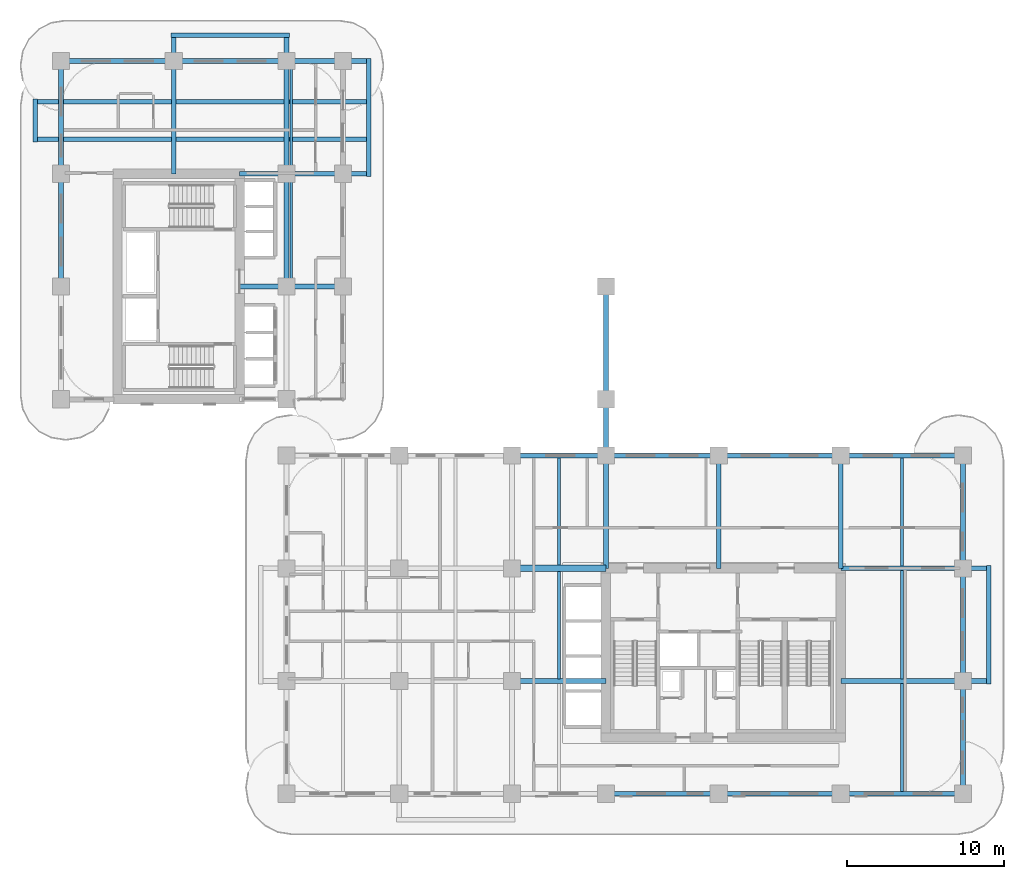
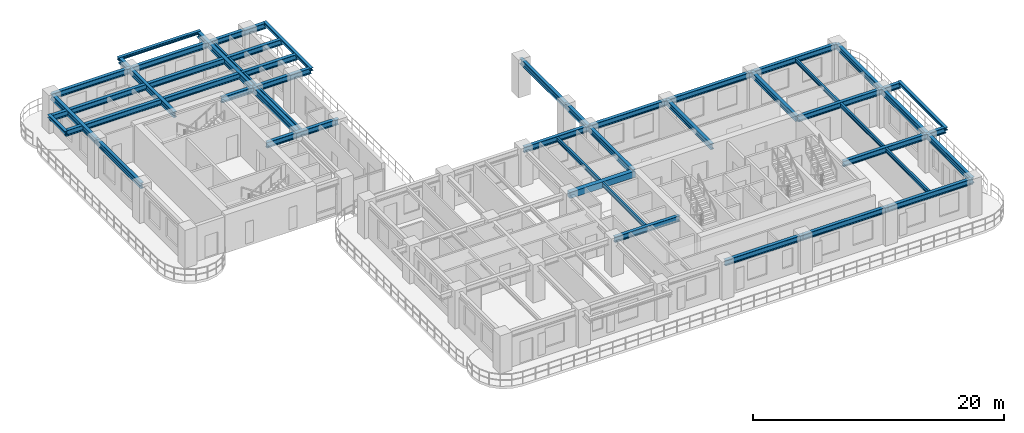
# One storey, part 3 of 19: 41 beams.
"""IFC4 building model written with IfcOpenShell, lengths in metres."""

import ifcopenshell
import ifcopenshell.guid

model = None  # the IFC model being written
_history = None  # IfcOwnerHistory: only IFC2X3 demands one
_inside = {}  # id of a spatial element -> (the spatial element, [elements in it])
_under = {}  # id of a project, library or spatial element -> (it, [spatial elements below it])
_declared = {}  # id of a project -> (the project, [libraries it declares])
_typed = {}  # id of a type object -> (the type object, [elements of that type])
_made_of = {}  # id of a material, layer set ... -> (it, [elements and type objects made of it])


def new_model(schema):
    """Start an empty IFC model of exactly this schema.

    Asked for "IFC4X3", IfcOpenShell would pick the latest addendum, in which some entities
    have other attributes; the version numbers below select the first issue.
    IFC2X3 requires an IfcOwnerHistory on every rooted entity: one is made here for all.
    """
    global model, _history
    if schema == "IFC4X3":
        model = ifcopenshell.file(schema_version=(4, 3, 0, 0))
    else:
        model = ifcopenshell.file(schema=schema)
    _inside.clear()
    _under.clear()
    _declared.clear()
    _typed.clear()
    _made_of.clear()
    _history = None
    if model.schema == "IFC2X3":
        org = make("IfcOrganization", Name="unknown")
        user = make(
            "IfcPersonAndOrganization",
            ThePerson=make("IfcPerson", FamilyName="unknown"),
            TheOrganization=org,
        )
        app = make(
            "IfcApplication",
            ApplicationDeveloper=org,
            Version="unknown",
            ApplicationFullName="unknown",
            ApplicationIdentifier="unknown",
        )
        _history = make(
            "IfcOwnerHistory",
            OwningUser=user,
            OwningApplication=app,
            ChangeAction="ADDED",
            CreationDate=0,
        )
    return model


def make(cls, **values):
    """One entity of the class cls with the attributes given. An attribute that is None is left unset."""
    return model.create_entity(
        cls, **{name: value for name, value in values.items() if value is not None}
    )


def rooted(cls, **values):
    """An entity with a GlobalId (a new one), such as an element, a storey or a relation."""
    return make(cls, GlobalId=ifcopenshell.guid.new(), OwnerHistory=_history, **values)


def si_unit(unit_type, name, prefix=None):
    """IfcSIUnit, for example si_unit("LENGTHUNIT", "METRE", prefix="MILLI")."""
    return make("IfcSIUnit", UnitType=unit_type, Prefix=prefix, Name=name)


def derived_unit(unit_type, elements):
    """IfcDerivedUnit: a product of units, each with its exponent."""
    return make(
        "IfcDerivedUnit",
        Elements=[
            make("IfcDerivedUnitElement", Unit=unit, Exponent=power)
            for unit, power in elements
        ],
        UnitType=unit_type,
    )


def assignment(units):
    """IfcUnitAssignment: the units of a project."""
    return None if units is None else make("IfcUnitAssignment", Units=units)


def point(xyz):
    """IfcCartesianPoint."""
    return None if xyz is None else make("IfcCartesianPoint", Coordinates=xyz)


def direction(xyz):
    """IfcDirection."""
    return None if xyz is None else make("IfcDirection", DirectionRatios=xyz)


def frame(location, z_axis=None, x_axis=None):
    """IfcAxis2Placement3D, a coordinate frame: its origin and axes. An axis left out is left unset."""
    return make(
        "IfcAxis2Placement3D",
        Location=point(location),
        Axis=direction(z_axis),
        RefDirection=direction(x_axis),
    )


def frame_2d(location, x_axis=None):
    """IfcAxis2Placement2D, a coordinate frame in the plane: its origin and x axis."""
    return make(
        "IfcAxis2Placement2D", Location=point(location), RefDirection=direction(x_axis)
    )


def origin():
    """The frame at (0, 0, 0) with its axes left unset."""
    return frame((0.0, 0.0, 0.0))


def origin_2d():
    """The frame at (0, 0) in the plane with its x axis left unset."""
    return frame_2d((0.0, 0.0))


def place(relative_to, where):
    """IfcLocalPlacement: puts the frame where relative to a parent placement (None: the world)."""
    return make(
        "IfcLocalPlacement", PlacementRelTo=relative_to, RelativePlacement=where
    )


def context(
    kind, dimensions, precision=None, world=None, true_north=None, identifier=None
):
    """IfcGeometricRepresentationContext, for example the 3D "Model" context."""
    return make(
        "IfcGeometricRepresentationContext",
        ContextIdentifier=identifier,
        ContextType=kind,
        CoordinateSpaceDimension=dimensions,
        Precision=precision,
        WorldCoordinateSystem=world,
        TrueNorth=true_north,
    )


def subcontext(parent, identifier, kind, view, scale=None):
    """IfcGeometricRepresentationSubContext, for example "Body" below "Model"."""
    return make(
        "IfcGeometricRepresentationSubContext",
        ContextIdentifier=identifier,
        ContextType=kind,
        ParentContext=parent,
        TargetScale=scale,
        TargetView=view,
    )


def project(units=None, contexts=None):
    """IfcProject with its units and contexts."""
    return rooted(
        "IfcProject",
        Name="project",
        RepresentationContexts=contexts,
        UnitsInContext=assignment(units),
    )


def spatial(cls, under=None, at=None, **own):
    """A site, building, storey or space (cls), placed at a placement, below another one or the project."""
    s = rooted(cls, ObjectPlacement=at, **own)
    if under is not None:
        _under.setdefault(under.id(), (under, []))[1].append(s)
    return s


def profile(cls, at=None, kind="AREA", **sizes):
    """A parametric profile (cls). Its sizes go by their IFC names, for example OverallWidth=200.0."""
    return make(cls, ProfileType=kind, Position=at, **sizes)


def rectangle(**sizes):
    """IfcRectangleProfileDef."""
    return profile("IfcRectangleProfileDef", **sizes)


def i_section(**sizes):
    """IfcIShapeProfileDef."""
    return profile("IfcIShapeProfileDef", **sizes)


def extrude(swept, where, along, depth):
    """IfcExtrudedAreaSolid: the profile swept, set in the frame where, extruded along a direction by depth."""
    return make(
        "IfcExtrudedAreaSolid",
        SweptArea=swept,
        Position=where,
        ExtrudedDirection=direction(along),
        Depth=depth,
    )


def shape(context_of_items, identifier, shape_type, items):
    """IfcShapeRepresentation: the items that make up one representation, for example the "Body"."""
    return make(
        "IfcShapeRepresentation",
        ContextOfItems=context_of_items,
        RepresentationIdentifier=identifier,
        RepresentationType=shape_type,
        Items=items,
    )


def source(mapping_origin, context_of_items, identifier, shape_type, items):
    """IfcRepresentationMap: a shape defined once, which mapped items show again and again."""
    return make(
        "IfcRepresentationMap",
        MappingOrigin=mapping_origin,
        MappedRepresentation=shape(context_of_items, identifier, shape_type, items),
    )


def transform(
    local_origin,
    x_axis=None,
    y_axis=None,
    z_axis=None,
    scale=None,
    scale2=None,
    scale3=None,
    uniform=True,
):
    """IfcCartesianTransformationOperator3D, or its non-uniform kind. x_axis, y_axis, z_axis: its Axis1, 2, 3."""
    if uniform:
        return make(
            "IfcCartesianTransformationOperator3D",
            Axis1=direction(x_axis),
            Axis2=direction(y_axis),
            LocalOrigin=point(local_origin),
            Scale=scale,
            Axis3=direction(z_axis),
        )
    return make(
        "IfcCartesianTransformationOperator3DnonUniform",
        Axis1=direction(x_axis),
        Axis2=direction(y_axis),
        LocalOrigin=point(local_origin),
        Scale=scale,
        Axis3=direction(z_axis),
        Scale2=scale2,
        Scale3=scale3,
    )


def mapped(mapping_source, mapping_target):
    """IfcMappedItem: shows the shape of a source again, moved by a transform."""
    return make(
        "IfcMappedItem", MappingSource=mapping_source, MappingTarget=mapping_target
    )


def material(Name=None, Category=None):
    """IfcMaterial."""
    return make("IfcMaterial", Name=Name, Category=Category)


def material_profile(
    of_material, cross_section, Name=None, Category=None, Priority=None
):
    """IfcMaterialProfile: a cross section and its material."""
    return make(
        "IfcMaterialProfile",
        Name=Name,
        Material=of_material,
        Profile=cross_section,
        Priority=Priority,
        Category=Category,
    )


def profile_set(profiles, Name=None, composite=None):
    """IfcMaterialProfileSet."""
    return make(
        "IfcMaterialProfileSet",
        Name=Name,
        MaterialProfiles=profiles,
        CompositeProfile=composite,
    )


def made_of(thing, what):
    """Note that an element or type object is made of a material, layer set ...; save() writes the relation."""
    if what is not None:
        _made_of.setdefault(what.id(), (what, []))[1].append(thing)
    return thing


def type_object(cls, material=None, **own):
    """A type object (cls), such as IfcWallType, which elements share."""
    return made_of(rooted(cls, **own), material)


def type_shapes(of_type, sources):
    """Give a type object the sources (RepresentationMaps) that its elements show as mapped items."""
    of_type.RepresentationMaps = sources


def element(
    cls,
    number,
    at=None,
    inside=None,
    cuts=None,
    type_object=None,
    material=None,
    context=None,
    identifier="Body",
    shape_type=None,
    held_by="IfcProductDefinitionShape",
    body=None,
    shapes=None,
    **own,
):
    """One element of the class cls, such as IfcWall. Its Tag is "e" and its number.

    at: its placement. inside: the storey or other place that contains it. cuts: it is an
    opening in that element (IfcRelVoidsElement). A single representation is given by context,
    identifier, shape_type and body (its items); several are given by shapes. held_by: the class
    of the entity that holds the representations. save() writes the other relations.
    """
    e = rooted(cls, Tag="e%d" % number, ObjectPlacement=at, **own)
    if body is not None:
        shapes = [shape(context, identifier, shape_type, body)]
    if shapes is not None:
        e.Representation = make(held_by, Representations=shapes)
    if inside is not None:
        _inside.setdefault(inside.id(), (inside, []))[1].append(e)
    if cuts is not None:
        rooted(
            "IfcRelVoidsElement", RelatingBuildingElement=cuts, RelatedOpeningElement=e
        )
    if type_object is not None:
        _typed.setdefault(type_object.id(), (type_object, []))[1].append(e)
    return made_of(e, material)


def aggregate(whole, parts):
    """IfcRelAggregates: a whole, such as a stair, and the parts it consists of."""
    return rooted("IfcRelAggregates", RelatingObject=whole, RelatedObjects=parts)


def save(model, path):
    """Write the relations noted so far, then the file.

    IfcRelAggregates (storeys below a building ...), IfcRelContainedInSpatialStructure (elements
    in a storey), IfcRelDefinesByType, IfcRelAssociatesMaterial and IfcRelDeclares: one each for
    every whole, place, type object, material and project.
    """
    for whole, parts in _under.values():
        aggregate(whole, parts)
    for where, things in _inside.values():
        rooted(
            "IfcRelContainedInSpatialStructure",
            RelatedElements=things,
            RelatingStructure=where,
        )
    for kind, things in _typed.values():
        rooted("IfcRelDefinesByType", RelatedObjects=things, RelatingType=kind)
    for what, things in _made_of.values():
        rooted("IfcRelAssociatesMaterial", RelatedObjects=things, RelatingMaterial=what)
    for by, libraries in _declared.values():
        rooted("IfcRelDeclares", RelatingContext=by, RelatedDefinitions=libraries)
    model.write(path)


model = new_model("IFC4")

# Units and contexts
model_context = context("Model", 3, precision=1e-05, world=origin(), true_north=direction((0.0, 1.0)))
body_context = subcontext(model_context, "Body", "Model", "MODEL_VIEW")
ifc_project = project(units=[si_unit("LENGTHUNIT", "METRE"), si_unit("AREAUNIT", "SQUARE_METRE"), si_unit("VOLUMEUNIT", "CUBIC_METRE"), si_unit("PLANEANGLEUNIT", "RADIAN"), si_unit("MASSUNIT", "GRAM", prefix="KILO"), si_unit("THERMODYNAMICTEMPERATUREUNIT", "KELVIN"), si_unit("POWERUNIT", "WATT"), derived_unit("THERMALTRANSMITTANCEUNIT", [(si_unit("POWERUNIT", "WATT"), 1), (si_unit("AREAUNIT", "SQUARE_METRE"), -1), (si_unit("THERMODYNAMICTEMPERATUREUNIT", "KELVIN"), -1)])], contexts=[model_context])

# Site, building, storey
site_placement = place(None, origin())
site = spatial("IfcSite", under=ifc_project, at=site_placement, CompositionType="ELEMENT")
building_placement = place(site_placement, origin())
building = spatial("IfcBuilding", under=site, at=building_placement, Name="Zahravan Archway Hotel and Residences", CompositionType="ELEMENT")
storey_placement = place(building_placement, frame((0.0, 0.0, 39.800048828125)))
storey = spatial("IfcBuildingStorey", under=building, at=storey_placement, Name="L08", CompositionType="ELEMENT", Elevation=39.800048828125)

# Beams
ifc_material_1 = material(Name="Structural Steel S355JR", Category="steel")
ifc_material_profile_1 = material_profile(ifc_material_1, i_section(OverallWidth=0.280029296875, OverallDepth=0.280029296875, WebThickness=0.010498046875, FlangeThickness=0.01806640625, FilletRadius=0.02392578125, at=origin_2d()), Name="HEB 280", Category="steel")
ifc_profile_set_1 = profile_set([ifc_material_profile_1], Name="Structural Steel S355JR")
beam_type_1 = type_object("IfcBeamType", Name="BM-SPN-HEB280", PredefinedType="SPANDREL", material=ifc_profile_set_1)
shared_shape_1 = source(origin(), body_context, "Body", "SweptSolid", [
    extrude(i_section(OverallWidth=0.280029296875, OverallDepth=0.280029296875, WebThickness=0.010498046875, FlangeThickness=0.01806640625, FilletRadius=0.02392578125, at=origin_2d()), origin(), (0.0, 0.0, 1.0), 7.56005859375),
])
type_shapes(beam_type_1, [shared_shape_1])
for number, where, z_axis, x_axis, name in (
    (1, (59.25, 7.02001953125, 3.31005859375), (0.0, 1.0, 0.0), (-1.0, 0.0, 0.0), "L09 EA Balcony Edge Spandrel"),
    (2, (19.64990234375, 39.419921875, 3.31005859375), (0.0, 1.0, 0.0), (-1.0, 0.0, 0.0), "L09 EB Balcony Edge Spandrel"),
    (3, (7.02001953125, 48.449951171875, 3.31005859375), (1.0, 0.0, 0.0), (0.0, 1.0, 0.0), "L09 NB Balcony Edge Spandrel"),
):
    element("IfcBeam", number, at=place(storey_placement, frame(where, z_axis=z_axis, x_axis=x_axis)), inside=storey, type_object=beam_type_1, Name=name, PredefinedType="SPANDREL", context=body_context, shape_type="MappedRepresentation", body=[
        mapped(shared_shape_1, transform((0.0, 0.0, 0.0), scale=1.0)),
    ])
shared_shape_2 = source(origin(), body_context, "Body", "SweptSolid", [
    extrude(i_section(OverallWidth=0.280029296875, OverallDepth=0.280029296875, WebThickness=0.010498046875, FlangeThickness=0.01806640625, FilletRadius=0.02392578125, at=origin_2d()), origin(), (0.0, 0.0, 1.0), 2.759765625),
])
beam_1_placement = place(storey_placement, frame((-1.64990234375, 41.6201171875, 3.31005859375), z_axis=(0.0, 1.0, 0.0), x_axis=(-1.0, 0.0, 0.0)))
element("IfcBeam", 4, at=beam_1_placement, inside=storey, type_object=beam_type_1, Name="L09 WB Balcony Edge Spandrel", PredefinedType="SPANDREL", context=body_context, shape_type="MappedRepresentation", body=[
    mapped(shared_shape_2, transform((0.0, 0.0, 0.0), scale=1.0)),
])
ifc_material_2 = material(Name="Concrete C60/75", Category="concrete")
ifc_material_profile_2 = material_profile(ifc_material_2, rectangle(XDim=0.39990234375, YDim=0.60009765625, at=origin_2d()), Name="RC-LNT-400x600", Category="concrete")
ifc_profile_set_2 = profile_set([ifc_material_profile_2], Name="Concrete C60/75")
beam_type_2 = type_object("IfcBeamType", Name="LNT-RC-400x600", PredefinedType="LINTEL", material=ifc_profile_set_2)
shared_shape_3 = source(origin(), body_context, "Body", "SweptSolid", [
    extrude(rectangle(XDim=0.39990234375, YDim=0.60009765625, at=origin_2d()), origin(), (0.0, 0.0, 1.0), 6.0),
])
type_shapes(beam_type_2, [shared_shape_3])
beam_2_placement = place(storey_placement, frame((28.800048828125, 14.39990234375, 3.14990234375), z_axis=(1.0, 0.0, 0.0), x_axis=(0.0, 1.0, 0.0)))
element("IfcBeam", 5, at=beam_2_placement, inside=storey, type_object=beam_type_2, Name="L08 Core A Coupling Lintel Beam", PredefinedType="LINTEL", context=body_context, shape_type="MappedRepresentation", body=[
    mapped(shared_shape_3, transform((0.0, 0.0, 0.0), scale=1.0)),
])
ifc_material_profile_3 = material_profile(ifc_material_1, i_section(OverallWidth=0.300048828125, OverallDepth=0.550048828125, WebThickness=0.014892578125, FlangeThickness=0.029052734375, FilletRadius=0.027099609375, at=origin_2d()), Name="HEB 550", Category="steel")
ifc_profile_set_3 = profile_set([ifc_material_profile_3], Name="Structural Steel S355JR")
beam_type_3 = type_object("IfcBeamType", Name="BM-PRI-HEB550", PredefinedType="BEAM", material=ifc_profile_set_3)
shared_shape_4 = source(origin(), body_context, "Body", "SweptSolid", [
    extrude(i_section(OverallWidth=0.300048828125, OverallDepth=0.550048828125, WebThickness=0.014892578125, FlangeThickness=0.029052734375, FilletRadius=0.027099609375, at=origin_2d()), origin(), (0.0, 0.0, 1.0), 7.2001953125),
])
type_shapes(beam_type_3, [shared_shape_4])
for number, where, z_axis, x_axis, name in (
    (6, (0.0, 32.39990234375, 3.175048828125), (0.0, 1.0, 0.0), (-1.0, 0.0, 0.0), "L08 Primary Girder NS-28"),
    (7, (14.39990234375, 32.39990234375, 3.175048828125), (0.0, 1.0, 0.0), (-1.0, 0.0, 0.0), "L08 Primary Girder NS-35"),
    (8, (34.800048828125, 14.39990234375, 3.175048828125), (0.0, 1.0, 0.0), (-1.0, 0.0, 0.0), "L08 Primary Girder NS-43"),
    (9, (42.0, 14.39990234375, 3.175048828125), (0.0, 1.0, 0.0), (-1.0, 0.0, 0.0), "L08 Primary Girder NS-46"),
    (10, (49.800048828125, 14.39990234375, 3.175048828125), (0.0, 1.0, 0.0), (-1.0, 0.0, 0.0), "L08 Primary Girder NS-47"),
    (11, (57.60009765625, 14.39990234375, 3.175048828125), (0.0, 1.0, 0.0), (-1.0, 0.0, 0.0), "L08 Primary Girder NS-50"),
):
    element("IfcBeam", number, at=place(storey_placement, frame(where, z_axis=z_axis, x_axis=x_axis)), inside=storey, type_object=beam_type_3, Name=name, PredefinedType="BEAM", context=body_context, shape_type="MappedRepresentation", body=[
        mapped(shared_shape_4, transform((0.0, 0.0, 0.0), scale=1.0)),
    ])
shared_shape_5 = source(origin(), body_context, "Body", "SweptSolid", [
    extrude(i_section(OverallWidth=0.300048828125, OverallDepth=0.550048828125, WebThickness=0.014892578125, FlangeThickness=0.029052734375, FilletRadius=0.027099609375, at=origin_2d()), origin(), (0.0, 0.0, 1.0), 7.199951171875),
])
for number, where, z_axis, x_axis, name in (
    (12, (34.800048828125, 0.0, 3.175048828125), (1.0, 0.0, 0.0), (0.0, 1.0, 0.0), "L08 Primary Girder EW-04"),
    (13, (34.800048828125, 21.60009765625, 3.175048828125), (1.0, 0.0, 0.0), (0.0, 1.0, 0.0), "L08 Primary Girder EW-17"),
    (14, (0.0, 46.800048828125, 3.175048828125), (1.0, 0.0, 0.0), (0.0, 1.0, 0.0), "L08 Primary Girder EW-23"),
    (15, (0.0, 39.60009765625, 3.175048828125), (0.0, 1.0, 0.0), (-1.0, 0.0, 0.0), "L08 Primary Girder NS-29"),
    (16, (34.800048828125, 25.199951171875, 3.175048828125), (0.0, 1.0, 0.0), (-1.0, 0.0, 0.0), "L08 Primary Girder NS-45"),
    (17, (57.60009765625, 0.0, 3.175048828125), (0.0, 1.0, 0.0), (-1.0, 0.0, 0.0), "L08 Primary Girder NS-48"),
    (18, (57.60009765625, 7.199951171875, 3.175048828125), (0.0, 1.0, 0.0), (-1.0, 0.0, 0.0), "L08 Primary Girder NS-49"),
):
    element("IfcBeam", number, at=place(storey_placement, frame(where, z_axis=z_axis, x_axis=x_axis)), inside=storey, type_object=beam_type_3, Name=name, PredefinedType="BEAM", context=body_context, shape_type="MappedRepresentation", body=[
        mapped(shared_shape_5, transform((0.0, 0.0, 0.0), scale=1.0)),
    ])
shared_shape_6 = source(origin(), body_context, "Body", "SweptSolid", [
    extrude(i_section(OverallWidth=0.300048828125, OverallDepth=0.550048828125, WebThickness=0.014892578125, FlangeThickness=0.029052734375, FilletRadius=0.027099609375, at=origin_2d()), origin(), (0.0, 0.0, 1.0), 6.0),
])
for number, where, z_axis, x_axis, name in (
    (19, (28.800048828125, 7.199951171875, 3.175048828125), (1.0, 0.0, 0.0), (0.0, 1.0, 0.0), "L08 Primary Girder EW-09"),
    (20, (28.800048828125, 21.60009765625, 3.175048828125), (1.0, 0.0, 0.0), (0.0, 1.0, 0.0), "L08 Primary Girder EW-16"),
):
    element("IfcBeam", number, at=place(storey_placement, frame(where, z_axis=z_axis, x_axis=x_axis)), inside=storey, type_object=beam_type_3, Name=name, PredefinedType="BEAM", context=body_context, shape_type="MappedRepresentation", body=[
        mapped(shared_shape_6, transform((0.0, 0.0, 0.0), scale=1.0)),
    ])
shared_shape_7 = source(origin(), body_context, "Body", "SweptSolid", [
    extrude(i_section(OverallWidth=0.300048828125, OverallDepth=0.550048828125, WebThickness=0.014892578125, FlangeThickness=0.029052734375, FilletRadius=0.027099609375, at=origin_2d()), origin(), (0.0, 0.0, 1.0), 7.800048828125),
])
for number, where, z_axis, x_axis, name in (
    (21, (42.0, 0.0, 3.175048828125), (1.0, 0.0, 0.0), (0.0, 1.0, 0.0), "L08 Primary Girder EW-05"),
    (22, (49.800048828125, 0.0, 3.175048828125), (1.0, 0.0, 0.0), (0.0, 1.0, 0.0), "L08 Primary Girder EW-06"),
    (23, (42.0, 21.60009765625, 3.175048828125), (1.0, 0.0, 0.0), (0.0, 1.0, 0.0), "L08 Primary Girder EW-18"),
    (24, (49.800048828125, 21.60009765625, 3.175048828125), (1.0, 0.0, 0.0), (0.0, 1.0, 0.0), "L08 Primary Girder EW-19"),
):
    element("IfcBeam", number, at=place(storey_placement, frame(where, z_axis=z_axis, x_axis=x_axis)), inside=storey, type_object=beam_type_3, Name=name, PredefinedType="BEAM", context=body_context, shape_type="MappedRepresentation", body=[
        mapped(shared_shape_7, transform((0.0, 0.0, 0.0), scale=1.0)),
    ])
shared_shape_8 = source(origin(), body_context, "Body", "SweptSolid", [
    extrude(i_section(OverallWidth=0.300048828125, OverallDepth=0.550048828125, WebThickness=0.014892578125, FlangeThickness=0.029052734375, FilletRadius=0.027099609375, at=origin_2d()), origin(), (0.0, 0.0, 1.0), 9.449951171875),
])
for number, where, z_axis, x_axis, name in (
    (25, (49.800048828125, 7.199951171875, 3.175048828125), (1.0, 0.0, 0.0), (0.0, 1.0, 0.0), "L08 Primary Girder EW-10"),
    (26, (49.800048828125, 14.39990234375, 3.175048828125), (1.0, 0.0, 0.0), (0.0, 1.0, 0.0), "L08 Primary Girder EW-13"),
):
    element("IfcBeam", number, at=place(storey_placement, frame(where, z_axis=z_axis, x_axis=x_axis)), inside=storey, type_object=beam_type_3, Name=name, PredefinedType="BEAM", context=body_context, shape_type="MappedRepresentation", body=[
        mapped(shared_shape_8, transform((0.0, 0.0, 0.0), scale=1.0)),
    ])
shared_shape_9 = source(origin(), body_context, "Body", "SweptSolid", [
    extrude(i_section(OverallWidth=0.300048828125, OverallDepth=0.550048828125, WebThickness=0.014892578125, FlangeThickness=0.029052734375, FilletRadius=0.027099609375, at=origin_2d()), origin(), (0.0, 0.0, 1.0), 6.60009765625),
])
beam_3_placement = place(storey_placement, frame((11.39990234375, 32.39990234375, 3.175048828125), z_axis=(1.0, 0.0, 0.0), x_axis=(0.0, 1.0, 0.0)))
element("IfcBeam", 27, at=beam_3_placement, inside=storey, type_object=beam_type_3, Name="L08 Primary Girder EW-21", PredefinedType="BEAM", context=body_context, shape_type="MappedRepresentation", body=[
    mapped(shared_shape_9, transform((0.0, 0.0, 0.0), scale=1.0)),
])
shared_shape_10 = source(origin(), body_context, "Body", "SweptSolid", [
    extrude(i_section(OverallWidth=0.300048828125, OverallDepth=0.550048828125, WebThickness=0.014892578125, FlangeThickness=0.029052734375, FilletRadius=0.027099609375, at=origin_2d()), origin(), (0.0, 0.0, 1.0), 8.25),
])
beam_4_placement = place(storey_placement, frame((11.39990234375, 39.60009765625, 3.175048828125), z_axis=(1.0, 0.0, 0.0), x_axis=(0.0, 1.0, 0.0)))
element("IfcBeam", 28, at=beam_4_placement, inside=storey, type_object=beam_type_3, Name="L08 Primary Girder EW-22", PredefinedType="BEAM", context=body_context, shape_type="MappedRepresentation", body=[
    mapped(shared_shape_10, transform((0.0, 0.0, 0.0), scale=1.0)),
])
shared_shape_11 = source(origin(), body_context, "Body", "SweptSolid", [
    extrude(i_section(OverallWidth=0.300048828125, OverallDepth=0.550048828125, WebThickness=0.014892578125, FlangeThickness=0.029052734375, FilletRadius=0.027099609375, at=origin_2d()), origin(), (0.0, 0.0, 1.0), 12.449951171875),
])
beam_5_placement = place(storey_placement, frame((7.199951171875, 46.800048828125, 3.175048828125), z_axis=(1.0, 0.0, 0.0), x_axis=(0.0, 1.0, 0.0)))
element("IfcBeam", 29, at=beam_5_placement, inside=storey, type_object=beam_type_3, Name="L08 Primary Girder EW-24", PredefinedType="BEAM", context=body_context, shape_type="MappedRepresentation", body=[
    mapped(shared_shape_11, transform((0.0, 0.0, 0.0), scale=1.0)),
])
shared_shape_12 = source(origin(), body_context, "Body", "SweptSolid", [
    extrude(i_section(OverallWidth=0.300048828125, OverallDepth=0.550048828125, WebThickness=0.014892578125, FlangeThickness=0.029052734375, FilletRadius=0.027099609375, at=origin_2d()), origin(), (0.0, 0.0, 1.0), 21.2998046875),
])
for number, where, z_axis, x_axis, name in (
    (30, (-1.64990234375, 41.800048828125, 3.175048828125), (1.0, 0.0, 0.0), (0.0, 1.0, 0.0), "L08 Primary Girder EW-25"),
    (31, (-1.64990234375, 44.199951171875, 3.175048828125), (1.0, 0.0, 0.0), (0.0, 1.0, 0.0), "L08 Primary Girder EW-26"),
):
    element("IfcBeam", number, at=place(storey_placement, frame(where, z_axis=z_axis, x_axis=x_axis)), inside=storey, type_object=beam_type_3, Name=name, PredefinedType="BEAM", context=body_context, shape_type="MappedRepresentation", body=[
        mapped(shared_shape_12, transform((0.0, 0.0, 0.0), scale=1.0)),
    ])
shared_shape_13 = source(origin(), body_context, "Body", "SweptSolid", [
    extrude(i_section(OverallWidth=0.300048828125, OverallDepth=0.550048828125, WebThickness=0.014892578125, FlangeThickness=0.029052734375, FilletRadius=0.027099609375, at=origin_2d()), origin(), (0.0, 0.0, 1.0), 8.849853515625),
])
for number, where, z_axis, x_axis, name in (
    (32, (7.199951171875, 39.60009765625, 3.175048828125), (0.0, 1.0, 0.0), (-1.0, 0.0, 0.0), "L08 Primary Girder NS-30"),
    (33, (14.39990234375, 39.60009765625, 3.175048828125), (0.0, 1.0, 0.0), (-1.0, 0.0, 0.0), "L08 Primary Girder NS-36"),
):
    element("IfcBeam", number, at=place(storey_placement, frame(where, z_axis=z_axis, x_axis=x_axis)), inside=storey, type_object=beam_type_3, Name=name, PredefinedType="BEAM", context=body_context, shape_type="MappedRepresentation", body=[
        mapped(shared_shape_13, transform((0.0, 0.0, 0.0), scale=1.0)),
    ])
shared_shape_14 = source(origin(), body_context, "Body", "SweptSolid", [
    extrude(i_section(OverallWidth=0.300048828125, OverallDepth=0.550048828125, WebThickness=0.014892578125, FlangeThickness=0.029052734375, FilletRadius=0.027099609375, at=origin_2d()), origin(), (0.0, 0.0, 1.0), 3.599853515625),
])
beam_6_placement = place(storey_placement, frame((34.800048828125, 21.60009765625, 3.175048828125), z_axis=(0.0, 1.0, 0.0), x_axis=(-1.0, 0.0, 0.0)))
element("IfcBeam", 34, at=beam_6_placement, inside=storey, type_object=beam_type_3, Name="L08 Primary Girder NS-44", PredefinedType="BEAM", context=body_context, shape_type="MappedRepresentation", body=[
    mapped(shared_shape_14, transform((0.0, 0.0, 0.0), scale=1.0)),
])
ifc_material_profile_4 = material_profile(ifc_material_1, i_section(OverallWidth=0.179931640625, OverallDepth=0.39990234375, WebThickness=0.008544921875, FlangeThickness=0.013427734375, FilletRadius=0.02099609375, at=origin_2d()), Name="IPE 400", Category="steel")
ifc_profile_set_4 = profile_set([ifc_material_profile_4], Name="Structural Steel S355JR")
beam_type_4 = type_object("IfcBeamType", Name="BM-JST-IPE400", PredefinedType="JOIST", material=ifc_profile_set_4)
shared_shape_15 = source(origin(), body_context, "Body", "SweptSolid", [
    extrude(i_section(OverallWidth=0.179931640625, OverallDepth=0.39990234375, WebThickness=0.008544921875, FlangeThickness=0.013427734375, FilletRadius=0.02099609375, at=origin_2d()), origin(), (0.0, 0.0, 1.0), 6.904052734375),
])
type_shapes(beam_type_4, [shared_shape_15])
for number, where, z_axis, x_axis, name in (
    (35, (53.699951171875, 0.14794921875, 3.25), (0.0, 1.0, 0.0), (-1.0, 0.0, 0.0), "L08 Composite Floor Joist 04"),
    (36, (53.699951171875, 7.347900390625, 3.25), (0.0, 1.0, 0.0), (-1.0, 0.0, 0.0), "L08 Composite Floor Joist 08"),
    (37, (14.699951171875, 39.748046875, 3.25), (0.0, 1.0, 0.0), (-1.0, 0.0, 0.0), "L08 Composite Floor Joist 14"),
):
    element("IfcBeam", number, at=place(storey_placement, frame(where, z_axis=z_axis, x_axis=x_axis)), inside=storey, type_object=beam_type_4, Name=name, PredefinedType="JOIST", context=body_context, shape_type="MappedRepresentation", body=[
        mapped(shared_shape_15, transform((0.0, 0.0, 0.0), scale=1.0)),
    ])
shared_shape_16 = source(origin(), body_context, "Body", "SweptSolid", [
    extrude(i_section(OverallWidth=0.179931640625, OverallDepth=0.39990234375, WebThickness=0.008544921875, FlangeThickness=0.013427734375, FilletRadius=0.02099609375, at=origin_2d()), origin(), (0.0, 0.0, 1.0), 6.85400390625),
])
for number, where, z_axis, x_axis, name in (
    (38, (31.800048828125, 7.347900390625, 3.25), (0.0, 1.0, 0.0), (-1.0, 0.0, 0.0), "L08 Composite Floor Joist 07"),
    (39, (31.800048828125, 14.597900390625, 3.25), (0.0, 1.0, 0.0), (-1.0, 0.0, 0.0), "L08 Composite Floor Joist 09"),
):
    element("IfcBeam", number, at=place(storey_placement, frame(where, z_axis=z_axis, x_axis=x_axis)), inside=storey, type_object=beam_type_4, Name=name, PredefinedType="JOIST", context=body_context, shape_type="MappedRepresentation", body=[
        mapped(shared_shape_16, transform((0.0, 0.0, 0.0), scale=1.0)),
    ])
shared_shape_17 = source(origin(), body_context, "Body", "SweptSolid", [
    extrude(i_section(OverallWidth=0.179931640625, OverallDepth=0.39990234375, WebThickness=0.008544921875, FlangeThickness=0.013427734375, FilletRadius=0.02099609375, at=origin_2d()), origin(), (0.0, 0.0, 1.0), 6.90380859375),
])
for number, where, z_axis, x_axis, name in (
    (40, (53.699951171875, 14.548095703125, 3.25), (0.0, 1.0, 0.0), (-1.0, 0.0, 0.0), "L08 Composite Floor Joist 12"),
    (41, (14.699951171875, 32.548095703125, 3.25), (0.0, 1.0, 0.0), (-1.0, 0.0, 0.0), "L08 Composite Floor Joist 13"),
):
    element("IfcBeam", number, at=place(storey_placement, frame(where, z_axis=z_axis, x_axis=x_axis)), inside=storey, type_object=beam_type_4, Name=name, PredefinedType="JOIST", context=body_context, shape_type="MappedRepresentation", body=[
        mapped(shared_shape_17, transform((0.0, 0.0, 0.0), scale=1.0)),
    ])

save(model, "model.ifc")
